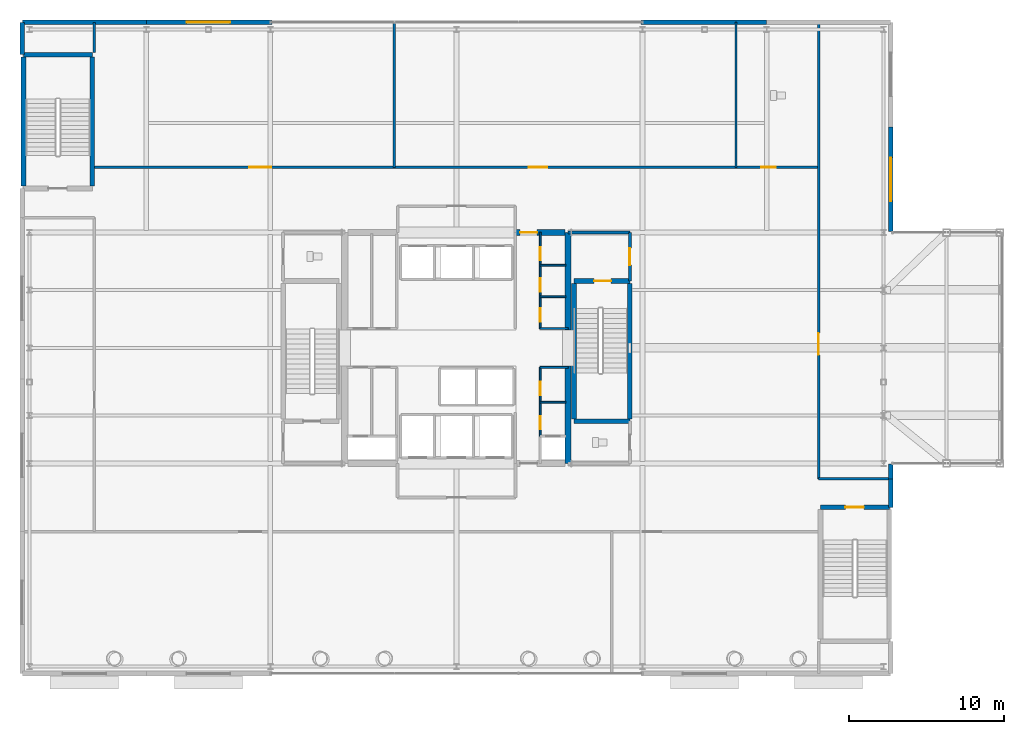
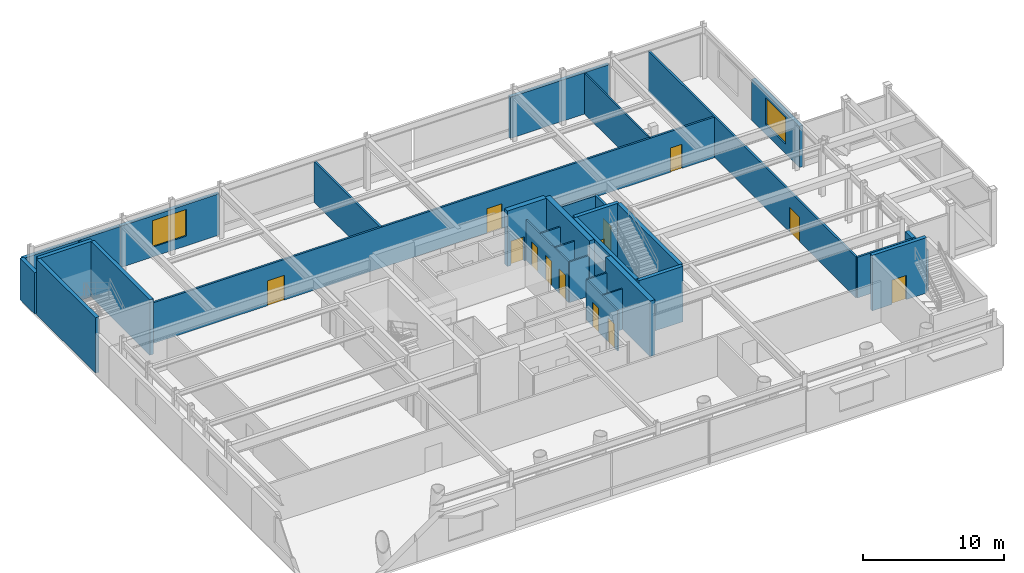
# One storey, part 21 of 26: 33 walls, 13 doors, 2 windows, 15 openings.
"""IFC4 building model written with IfcOpenShell, lengths in metres."""

from ifc_helpers import new_model, si_unit, direction, frame, frame_2d, origin, place, context, subcontext, project, spatial, rectangle, extrude, material, layer, layer_set, type_object, element, fill, save


model = new_model("IFC4")

# Units and contexts
model_context = context("Model", 3, precision=1e-05, world=origin(), true_north=direction((0.0, 1.0)))
body_context = subcontext(model_context, "Body", "Model", "MODEL_VIEW")
ifc_project = project(units=[si_unit("LENGTHUNIT", "METRE"), si_unit("AREAUNIT", "SQUARE_METRE"), si_unit("VOLUMEUNIT", "CUBIC_METRE"), si_unit("PLANEANGLEUNIT", "RADIAN"), si_unit("MASSUNIT", "GRAM", prefix="KILO")], contexts=[model_context])

# Site, building, storey
site_placement = place(None, origin())
site = spatial("IfcSite", under=ifc_project, at=site_placement, CompositionType="ELEMENT")
building_placement = place(site_placement, origin())
building = spatial("IfcBuilding", under=site, at=building_placement, Name="Veldorina Hangang Commons", CompositionType="ELEMENT")
storey_placement = place(building_placement, frame((0.0, 0.0, 10.0)))
storey = spatial("IfcBuildingStorey", under=building, at=storey_placement, Name="L02", CompositionType="ELEMENT", Elevation=10.0)

# Walls
ifc_material_1 = material(Name="Concrete C70/85", Category="concrete")
ifc_layer_1 = layer(ifc_material_1, 0.39990234375)
ifc_layer_set_1 = layer_set([ifc_layer_1], Name="Concrete C70/85")
wall_type_1 = type_object("IfcWallType", Name="CW-RC400-C70", PredefinedType="SHEAR", material=ifc_layer_set_1)
for number, where, z_axis, x_axis, name in (
    (1, (39.199951171875, 16.550048828125, 0.0), (0.0, 0.0, 1.0), (0.0, 1.0, 0.0), "L02 E south core shear wall"),
    (2, (39.199951171875, 25.14990234375, 0.0), (0.0, 0.0, 1.0), (0.0, 1.0, 0.0), "L02 E north core shear wall"),
):
    element("IfcWall", number, at=place(storey_placement, frame(where, z_axis=z_axis, x_axis=x_axis)), inside=storey, type_object=wall_type_1, Name=name, PredefinedType="SHEAR", context=body_context, shape_type="SweptSolid", body=[
        extrude(rectangle(XDim=6.300048828125, YDim=0.39990234375, at=frame_2d((3.14990234375, 0.0))), origin(), (0.0, 0.0, 1.0), 4.800048828125),
    ])

# Wall, opening, door
wall_1_placement = place(storey_placement, frame((35.800048828125, 31.449951171875, 0.0), z_axis=(0.0, 0.0, 1.0), x_axis=(1.0, 0.0, 0.0)))
wall_1 = element("IfcWall", 3, at=wall_1_placement, inside=storey, type_object=wall_type_1, Name="L02 north-east core shear wall", PredefinedType="SHEAR", context=body_context, shape_type="SweptSolid", body=[
    extrude(rectangle(XDim=3.199951171875, YDim=0.39990234375, at=frame_2d((1.60009765625, 0.0))), origin(), (0.0, 0.0, 1.0), 4.800048828125),
])
opening_1_placement = place(wall_1_placement, frame((0.300048828125, 0.0, 0.0)))
opening_1 = element("IfcOpeningElement", 4, at=opening_1_placement, cuts=wall_1, Name="Opening D-08", PredefinedType="OPENING", context=body_context, shape_type="SweptSolid", body=[
    extrude(rectangle(XDim=1.10009765625, YDim=2.10009765625, at=frame_2d((0.550048828125, 1.050048828125))), frame((0.0, 0.2099609375, 0.0), z_axis=(0.0, -1.0, 0.0), x_axis=(1.0, 0.0, 0.0)), (0.0, 0.0, 1.0), 0.419921875),
])
ifc_material_2 = material(Name="Steel Fire-Rated Smoke Seal", Category="steel")
door_type_1 = type_object("IfcDoorType", Name="DR-FIRE-1100", OperationType="SINGLE_SWING_RIGHT", PredefinedType="DOOR", material=ifc_material_2)
door_1_placement = place(opening_1_placement, origin())
door_1 = element("IfcDoor", 5, at=door_1_placement, inside=storey, type_object=door_type_1, Name="L02 central lift lobby north corridor door", OperationType="SINGLE_SWING_LEFT", OverallHeight=2.10009765625, OverallWidth=1.10009765625, PredefinedType="DOOR", context=body_context, shape_type="SweptSolid", body=[
    extrude(rectangle(XDim=1.10009765625, YDim=2.10009765625, at=frame_2d((0.550048828125, 1.050048828125))), frame((0.0, 0.02490234375, 0.0), z_axis=(0.0, -1.0, 0.0), x_axis=(1.0, 0.0, 0.0)), (0.0, 0.0, 1.0), 0.050048828125),
])
fill(opening_1, door_1)

# Wall
ifc_material_3 = material(Name="Stone Roman Travertine", Category="masonry")
ifc_layer_2 = layer(ifc_material_3, 0.300048828125)
ifc_layer_set_2 = layer_set([ifc_layer_2], Name="Stone Roman Travertine")
wall_type_2 = type_object("IfcWallType", Name="EW-TRAV-300", PredefinedType="STANDARD", material=ifc_layer_set_2)
wall_2_placement = place(storey_placement, frame((12.0, 45.0, 0.0), z_axis=(0.0, 0.0, 1.0), x_axis=(-1.0, 0.0, 0.0)))
element("IfcWall", 6, at=wall_2_placement, inside=storey, type_object=wall_type_2, Name="L02 north podium stone wall N1", PredefinedType="STANDARD", context=body_context, shape_type="SweptSolid", body=[
    extrude(rectangle(XDim=8.0, YDim=0.300048828125, at=frame_2d((4.0, 0.0))), origin(), (0.0, 0.0, 1.0), 3.570068359375),
])

# Wall, opening, window
wall_3_placement = place(storey_placement, frame((20.094970703125, 45.0, 0.0), z_axis=(0.0, 0.0, 1.0), x_axis=(-1.0, 0.0, 0.0)))
wall_3 = element("IfcWall", 7, at=wall_3_placement, inside=storey, type_object=wall_type_2, Name="L02 north podium stone wall N2", PredefinedType="STANDARD", context=body_context, shape_type="SweptSolid", body=[
    extrude(rectangle(XDim=8.094970703125, YDim=0.300048828125, at=frame_2d((4.04736328125, 0.0))), origin(), (0.0, 0.0, 1.0), 3.570068359375),
])
opening_2_placement = place(wall_3_placement, frame((2.695068359375, 0.0, 0.85009765625)))
opening_2 = element("IfcOpeningElement", 8, at=opening_2_placement, cuts=wall_3, Name="Opening W-06", PredefinedType="OPENING", context=body_context, shape_type="SweptSolid", body=[
    extrude(rectangle(XDim=2.800048828125, YDim=2.300048828125, at=frame_2d((1.39990234375, 1.14990234375))), frame((0.0, 0.16015625, 0.0), z_axis=(0.0, -1.0, 0.0), x_axis=(1.0, 0.0, 0.0)), (0.0, 0.0, 1.0), 0.320068359375),
])
ifc_material_4 = material(Name="Glass Acoustic Laminated", Category="glass")
window_type = type_object("IfcWindowType", Name="WIN-POD-2800", PartitioningType="SINGLE_PANEL", PredefinedType="WINDOW", material=ifc_material_4)
window_1_placement = place(opening_2_placement, origin())
window_1 = element("IfcWindow", 9, at=window_1_placement, inside=storey, type_object=window_type, Name="L02 north podium window N2", OverallHeight=2.300048828125, OverallWidth=2.800048828125, PartitioningType="SINGLE_PANEL", PredefinedType="WINDOW", context=body_context, shape_type="SweptSolid", body=[
    extrude(rectangle(XDim=2.800048828125, YDim=2.300048828125, at=frame_2d((1.39990234375, 1.14990234375))), frame((0.0, 0.030029296875, 0.0), z_axis=(0.0, -1.0, 0.0), x_axis=(1.0, 0.0, 0.0)), (0.0, 0.0, 1.0), 0.06005859375),
])
fill(opening_2, window_1)

# Walls
wall_4_placement = place(storey_placement, frame((52.0, 45.0, 0.0), z_axis=(0.0, 0.0, 1.0), x_axis=(-1.0, 0.0, 0.0)))
element("IfcWall", 10, at=wall_4_placement, inside=storey, type_object=wall_type_2, Name="L02 north podium stone wall N6", PredefinedType="STANDARD", context=body_context, shape_type="SweptSolid", body=[
    extrude(rectangle(XDim=8.094970703125, YDim=0.300048828125, at=frame_2d((4.04736328125, 0.0))), origin(), (0.0, 0.0, 1.0), 3.570068359375),
])
wall_5_placement = place(storey_placement, frame((4.0, 45.0, 0.0), z_axis=(0.0, 0.0, 1.0), x_axis=(0.0, -1.0, 0.0)))
element("IfcWall", 11, at=wall_5_placement, inside=storey, type_object=wall_type_2, Name="L02 west podium stone wall W6", PredefinedType="STANDARD", context=body_context, shape_type="SweptSolid", body=[
    extrude(rectangle(XDim=2.080078125, YDim=0.300048828125, at=frame_2d((1.0400390625, 0.0))), origin(), (0.0, 0.0, 1.0), 3.570068359375),
])
wall_6_placement = place(storey_placement, frame((60.0, 13.719970703125, 0.0), z_axis=(0.0, 0.0, 1.0), x_axis=(0.0, 1.0, 0.0)))
element("IfcWall", 12, at=wall_6_placement, inside=storey, type_object=wall_type_2, Name="L02 east podium stone wall ES2", PredefinedType="STANDARD", context=body_context, shape_type="SweptSolid", body=[
    extrude(rectangle(XDim=1.830078125, YDim=0.300048828125, at=frame_2d((0.9150390625, 0.0))), origin(), (0.0, 0.0, 1.0), 3.570068359375),
])
wall_7_placement = place(storey_placement, frame((60.0, 15.550048828125, 0.0), z_axis=(0.0, 0.0, 1.0), x_axis=(0.0, 1.0, 0.0)))
element("IfcWall", 13, at=wall_7_placement, inside=storey, type_object=wall_type_2, Name="L02 east podium stone wall ES3", PredefinedType="STANDARD", context=body_context, shape_type="SweptSolid", body=[
    extrude(rectangle(XDim=0.949951171875, YDim=0.300048828125, at=frame_2d((0.47509765625, 0.0))), origin(), (0.0, 0.0, 1.0), 3.570068359375),
])

# Wall, opening, window
wall_8_placement = place(storey_placement, frame((60.0, 31.5, 0.0), z_axis=(0.0, 0.0, 1.0), x_axis=(0.0, 1.0, 0.0)))
wall_8 = element("IfcWall", 14, at=wall_8_placement, inside=storey, type_object=wall_type_2, Name="L02 east podium stone wall EN1", PredefinedType="STANDARD", context=body_context, shape_type="SweptSolid", body=[
    extrude(rectangle(XDim=6.75, YDim=0.300048828125, at=frame_2d((3.375, 0.0))), origin(), (0.0, 0.0, 1.0), 3.570068359375),
])
opening_3_placement = place(wall_8_placement, frame((1.97509765625, 0.0, 0.85009765625)))
opening_3 = element("IfcOpeningElement", 15, at=opening_3_placement, cuts=wall_8, Name="Opening W-06", PredefinedType="OPENING", context=body_context, shape_type="SweptSolid", body=[
    extrude(rectangle(XDim=2.800048828125, YDim=2.300048828125, at=frame_2d((1.39990234375, 1.14990234375))), frame((0.0, 0.16015625, 0.0), z_axis=(0.0, -1.0, 0.0), x_axis=(1.0, 0.0, 0.0)), (0.0, 0.0, 1.0), 0.320068359375),
])
window_2_placement = place(opening_3_placement, origin())
window_2 = element("IfcWindow", 16, at=window_2_placement, inside=storey, type_object=window_type, Name="L02 east podium window EN1", OverallHeight=2.300048828125, OverallWidth=2.800048828125, PartitioningType="SINGLE_PANEL", PredefinedType="WINDOW", context=body_context, shape_type="SweptSolid", body=[
    extrude(rectangle(XDim=2.800048828125, YDim=2.300048828125, at=frame_2d((1.39990234375, 1.14990234375))), frame((0.0, 0.030029296875, 0.0), z_axis=(0.0, -1.0, 0.0), x_axis=(1.0, 0.0, 0.0)), (0.0, 0.0, 1.0), 0.06005859375),
])
fill(opening_3, window_2)

# Walls
ifc_material_5 = material(Name="Concrete C50/60", Category="concrete")
ifc_layer_3 = layer(ifc_material_5, 0.300048828125)
ifc_layer_set_3 = layer_set([ifc_layer_3], Name="Concrete C50/60")
wall_type_3 = type_object("IfcWallType", Name="SW-STAIR-300", PredefinedType="SHEAR", material=ifc_layer_set_3)
for number, where, z_axis, x_axis, name in (
    (17, (43.179931640625, 19.429931640625, 0.0), (0.0, 0.0, 1.0), (0.0, 1.0, 0.0), "L02 ST2 outer stair shear wall"),
    (18, (39.580078125, 19.429931640625, 0.0), (0.0, 0.0, 1.0), (0.0, 1.0, 0.0), "L02 ST2 inner stair shear wall"),
):
    element("IfcWall", number, at=place(storey_placement, frame(where, z_axis=z_axis, x_axis=x_axis)), inside=storey, type_object=wall_type_3, Name=name, PredefinedType="SHEAR", context=body_context, shape_type="SweptSolid", body=[
        extrude(rectangle(XDim=8.739990234375, YDim=0.300048828125, at=frame_2d((4.3701171875, 0.0))), origin(), (0.0, 0.0, 1.0), 4.800048828125),
    ])
wall_9_placement = place(storey_placement, frame((39.580078125, 19.280029296875, 0.0), z_axis=(0.0, 0.0, 1.0), x_axis=(1.0, 0.0, 0.0)))
element("IfcWall", 19, at=wall_9_placement, inside=storey, type_object=wall_type_3, Name="L02 ST2 south stair shear wall", PredefinedType="SHEAR", context=body_context, shape_type="SweptSolid", body=[
    extrude(rectangle(XDim=3.599853515625, YDim=0.300048828125, at=frame_2d((1.7998046875, 0.0))), origin(), (0.0, 0.0, 1.0), 4.800048828125),
])

# Wall, opening, door
wall_10_placement = place(storey_placement, frame((39.580078125, 28.320068359375, 0.0), z_axis=(0.0, 0.0, 1.0), x_axis=(1.0, 0.0, 0.0)))
wall_10 = element("IfcWall", 20, at=wall_10_placement, inside=storey, type_object=wall_type_3, Name="L02 ST2 north stair shear wall", PredefinedType="SHEAR", context=body_context, shape_type="SweptSolid", body=[
    extrude(rectangle(XDim=3.599853515625, YDim=0.300048828125, at=frame_2d((1.7998046875, 0.0))), origin(), (0.0, 0.0, 1.0), 4.800048828125),
])
opening_4_placement = place(wall_10_placement, frame((1.300048828125, 0.0, 0.0)))
opening_4 = element("IfcOpeningElement", 21, at=opening_4_placement, cuts=wall_10, Name="Opening D-08", PredefinedType="OPENING", context=body_context, shape_type="SweptSolid", body=[
    extrude(rectangle(XDim=1.10009765625, YDim=2.10009765625, at=frame_2d((0.550048828125, 1.050048828125))), frame((0.0, 0.16015625, 0.0), z_axis=(0.0, -1.0, 0.0), x_axis=(1.0, 0.0, 0.0)), (0.0, 0.0, 1.0), 0.320068359375),
])
door_2_placement = place(opening_4_placement, origin())
door_2 = element("IfcDoor", 22, at=door_2_placement, inside=storey, type_object=door_type_1, Name="L02 Special Escape Stair ST-2 door", OperationType="SINGLE_SWING_RIGHT", OverallHeight=2.10009765625, OverallWidth=1.10009765625, PredefinedType="DOOR", context=body_context, shape_type="SweptSolid", body=[
    extrude(rectangle(XDim=1.10009765625, YDim=2.10009765625, at=frame_2d((0.550048828125, 1.050048828125))), frame((0.0, 0.02490234375, 0.0), z_axis=(0.0, -1.0, 0.0), x_axis=(1.0, 0.0, 0.0)), (0.0, 0.0, 1.0), 0.050048828125),
])
fill(opening_4, door_2)

# Walls
for number, where, z_axis, x_axis, name in (
    (23, (4.080078125, 34.429931640625, 0.0), (0.0, 0.0, 1.0), (0.0, 1.0, 0.0), "L02 STP1 W stair shear wall"),
    (24, (8.52001953125, 34.429931640625, 0.0), (0.0, 0.0, 1.0), (0.0, 1.0, 0.0), "L02 STP1 E stair shear wall"),
):
    element("IfcWall", number, at=place(storey_placement, frame(where, z_axis=z_axis, x_axis=x_axis)), inside=storey, type_object=wall_type_3, Name=name, PredefinedType="SHEAR", context=body_context, shape_type="SweptSolid", body=[
        extrude(rectangle(XDim=8.340087890625, YDim=0.300048828125, at=frame_2d((4.169921875, 0.0))), origin(), (0.0, 0.0, 1.0), 4.800048828125),
    ])
wall_11_placement = place(storey_placement, frame((4.080078125, 42.919921875, 0.0), z_axis=(0.0, 0.0, 1.0), x_axis=(1.0, 0.0, 0.0)))
element("IfcWall", 25, at=wall_11_placement, inside=storey, type_object=wall_type_3, Name="L02 STP1 N stair shear wall", PredefinedType="SHEAR", context=body_context, shape_type="SweptSolid", body=[
    extrude(rectangle(XDim=4.43994140625, YDim=0.300048828125, at=frame_2d((2.219970703125, 0.0))), origin(), (0.0, 0.0, 1.0), 4.800048828125),
])

# Wall, opening, door
wall_12_placement = place(storey_placement, frame((55.47998046875, 13.719970703125, 0.0), z_axis=(0.0, 0.0, 1.0), x_axis=(1.0, 0.0, 0.0)))
wall_12 = element("IfcWall", 26, at=wall_12_placement, inside=storey, type_object=wall_type_3, Name="L02 STP2 N stair shear wall", PredefinedType="SHEAR", context=body_context, shape_type="SweptSolid", body=[
    extrude(rectangle(XDim=4.43994140625, YDim=0.300048828125, at=frame_2d((2.219970703125, 0.0))), origin(), (0.0, 0.0, 1.0), 4.800048828125),
])
opening_5_placement = place(wall_12_placement, frame((1.60009765625, 0.0, 0.0)))
opening_5 = element("IfcOpeningElement", 27, at=opening_5_placement, cuts=wall_12, Name="Opening D-09", PredefinedType="OPENING", context=body_context, shape_type="SweptSolid", body=[
    extrude(rectangle(XDim=1.199951171875, YDim=2.10009765625, at=frame_2d((0.60009765625, 1.050048828125))), frame((0.0, 0.16015625, 0.0), z_axis=(0.0, -1.0, 0.0), x_axis=(1.0, 0.0, 0.0)), (0.0, 0.0, 1.0), 0.320068359375),
])
ifc_material_6 = material(Name="Steel Fire-Rated Corridor Door", Category="steel")
door_type_2 = type_object("IfcDoorType", Name="DR-FIRE-1200", OperationType="SINGLE_SWING_LEFT", PredefinedType="DOOR", material=ifc_material_6)
door_3_placement = place(opening_5_placement, origin())
door_3 = element("IfcDoor", 28, at=door_3_placement, inside=storey, type_object=door_type_2, Name="L02 Podium Stair ST-P2 door", OperationType="SINGLE_SWING_RIGHT", OverallHeight=2.10009765625, OverallWidth=1.199951171875, PredefinedType="DOOR", context=body_context, shape_type="SweptSolid", body=[
    extrude(rectangle(XDim=1.199951171875, YDim=2.10009765625, at=frame_2d((0.60009765625, 1.050048828125))), frame((0.0, 0.02490234375, 0.0), z_axis=(0.0, -1.0, 0.0), x_axis=(1.0, 0.0, 0.0)), (0.0, 0.0, 1.0), 0.050048828125),
])
fill(opening_5, door_3)

# Wall, openings, doors
ifc_material_7 = material(Name="Gypsum Fire-Rated Twin Stud Wall", Category="gypsum")
ifc_layer_4 = layer(ifc_material_7, 0.159912109375)
ifc_layer_set_4 = layer_set([ifc_layer_4], Name="Gypsum Fire-Rated Twin Stud Wall")
wall_type_4 = type_object("IfcWallType", Name="WL-FIRE-160", PredefinedType="SOLIDWALL", material=ifc_layer_set_4)
wall_13_placement = place(storey_placement, frame((8.64990234375, 35.64990234375, 0.0), z_axis=(0.0, 0.0, 1.0), x_axis=(1.0, 0.0, 0.0)))
wall_13 = element("IfcWall", 29, at=wall_13_placement, inside=storey, type_object=wall_type_4, Name="L02 L02 gallery north wall 050", PredefinedType="SOLIDWALL", context=body_context, shape_type="SweptSolid", body=[
    extrude(rectangle(XDim=46.7001953125, YDim=0.159912109375, at=frame_2d((23.35009765625, 0.0))), origin(), (0.0, 0.0, 1.0), 3.52001953125),
])
opening_6_placement = place(wall_13_placement, frame((10.0, 0.0, 0.0)))
opening_6 = element("IfcOpeningElement", 30, at=opening_6_placement, cuts=wall_13, Name="Opening D-11", PredefinedType="OPENING", context=body_context, shape_type="SweptSolid", body=[
    extrude(rectangle(XDim=1.39990234375, YDim=2.14990234375, at=frame_2d((0.699951171875, 1.074951171875))), frame((0.0, 0.08984375, 0.0), z_axis=(0.0, -1.0, 0.0), x_axis=(1.0, 0.0, 0.0)), (0.0, 0.0, 1.0), 0.179931640625),
])
opening_7_placement = place(wall_13_placement, frame((28.0, 0.0, 0.0)))
opening_7 = element("IfcOpeningElement", 31, at=opening_7_placement, cuts=wall_13, Name="Opening D-09", PredefinedType="OPENING", context=body_context, shape_type="SweptSolid", body=[
    extrude(rectangle(XDim=1.199951171875, YDim=2.10009765625, at=frame_2d((0.60009765625, 1.050048828125))), frame((0.0, 0.08984375, 0.0), z_axis=(0.0, -1.0, 0.0), x_axis=(1.0, 0.0, 0.0)), (0.0, 0.0, 1.0), 0.179931640625),
])
opening_8_placement = place(wall_13_placement, frame((43.0, 0.0, 0.0)))
opening_8 = element("IfcOpeningElement", 32, at=opening_8_placement, cuts=wall_13, Name="Opening D-02", PredefinedType="OPENING", context=body_context, shape_type="SweptSolid", body=[
    extrude(rectangle(XDim=0.949951171875, YDim=2.10009765625, at=frame_2d((0.47509765625, 1.050048828125))), frame((0.0, 0.08984375, 0.0), z_axis=(0.0, -1.0, 0.0), x_axis=(1.0, 0.0, 0.0)), (0.0, 0.0, 1.0), 0.179931640625),
])
door_4_placement = place(opening_7_placement, origin())
door_4 = element("IfcDoor", 33, at=door_4_placement, inside=storey, type_object=door_type_2, Name="L02 Seminar studio door 028", OperationType="SINGLE_SWING_RIGHT", OverallHeight=2.10009765625, OverallWidth=1.199951171875, PredefinedType="DOOR", context=body_context, shape_type="SweptSolid", body=[
    extrude(rectangle(XDim=1.199951171875, YDim=2.10009765625, at=frame_2d((0.60009765625, 1.050048828125))), frame((0.0, 0.02490234375, 0.0), z_axis=(0.0, -1.0, 0.0), x_axis=(1.0, 0.0, 0.0)), (0.0, 0.0, 1.0), 0.050048828125),
])
fill(opening_7, door_4)
ifc_material_8 = material(Name="Steel Glazed Fire Assembly Door", Category="steel")
door_type_3 = type_object("IfcDoorType", Name="DR-FIRE-1400", OperationType="DOUBLE_SWING_LEFT", PredefinedType="DOOR", material=ifc_material_8)
door_5_placement = place(opening_6_placement, origin())
door_5 = element("IfcDoor", 34, at=door_5_placement, inside=storey, type_object=door_type_3, Name="L02 Assembly hall door 027", OperationType="SINGLE_SWING_LEFT", OverallHeight=2.14990234375, OverallWidth=1.39990234375, PredefinedType="DOOR", context=body_context, shape_type="SweptSolid", body=[
    extrude(rectangle(XDim=1.39990234375, YDim=2.14990234375, at=frame_2d((0.699951171875, 1.074951171875))), frame((0.0, 0.02490234375, 0.0), z_axis=(0.0, -1.0, 0.0), x_axis=(1.0, 0.0, 0.0)), (0.0, 0.0, 1.0), 0.050048828125),
])
fill(opening_6, door_5)
ifc_material_9 = material(Name="Timber Solid Core Acoustic", Category="wood")
door_type_4 = type_object("IfcDoorType", Name="DR-INT-950", OperationType="SINGLE_SWING_LEFT", PredefinedType="DOOR", material=ifc_material_9)
door_6_placement = place(opening_8_placement, origin())
door_6 = element("IfcDoor", 35, at=door_6_placement, inside=storey, type_object=door_type_4, Name="L02 Public restroom door 029", OperationType="SINGLE_SWING_LEFT", OverallHeight=2.10009765625, OverallWidth=0.949951171875, PredefinedType="DOOR", context=body_context, shape_type="SweptSolid", body=[
    extrude(rectangle(XDim=0.949951171875, YDim=2.10009765625, at=frame_2d((0.47509765625, 1.050048828125))), frame((0.0, 0.02490234375, 0.0), z_axis=(0.0, -1.0, 0.0), x_axis=(1.0, 0.0, 0.0)), (0.0, 0.0, 1.0), 0.050048828125),
])
fill(opening_8, door_6)

# Wall, opening, door
wall_14_placement = place(storey_placement, frame((55.35009765625, 15.550048828125, 0.0), z_axis=(0.0, 0.0, 1.0), x_axis=(0.0, 1.0, 0.0)))
wall_14 = element("IfcWall", 36, at=wall_14_placement, inside=storey, type_object=wall_type_4, Name="L02 L02 gallery east wall 054", PredefinedType="SOLIDWALL", context=body_context, shape_type="SweptSolid", body=[
    extrude(rectangle(XDim=29.449951171875, YDim=0.159912109375, at=frame_2d((14.72509765625, 0.0))), origin(), (0.0, 0.0, 1.0), 3.52001953125),
])
opening_9_placement = place(wall_14_placement, frame((8.0, 0.0, 0.0)))
opening_9 = element("IfcOpeningElement", 37, at=opening_9_placement, cuts=wall_14, Name="Opening D-11", PredefinedType="OPENING", context=body_context, shape_type="SweptSolid", body=[
    extrude(rectangle(XDim=1.39990234375, YDim=2.14990234375, at=frame_2d((0.699951171875, 1.074951171875))), frame((0.0, 0.08984375, 0.0), z_axis=(0.0, -1.0, 0.0), x_axis=(1.0, 0.0, 0.0)), (0.0, 0.0, 1.0), 0.179931640625),
])
door_7_placement = place(opening_9_placement, origin())
door_7 = element("IfcDoor", 38, at=door_7_placement, inside=storey, type_object=door_type_3, Name="L02 Cantilever lounge double door 024", OperationType="SINGLE_SWING_RIGHT", OverallHeight=2.14990234375, OverallWidth=1.39990234375, PredefinedType="DOOR", context=body_context, shape_type="SweptSolid", body=[
    extrude(rectangle(XDim=1.39990234375, YDim=2.14990234375, at=frame_2d((0.699951171875, 1.074951171875))), frame((0.0, 0.02490234375, 0.0), z_axis=(0.0, -1.0, 0.0), x_axis=(1.0, 0.0, 0.0)), (0.0, 0.0, 1.0), 0.050048828125),
])
fill(opening_9, door_7)

# Walls
wall_15_placement = place(storey_placement, frame((55.35009765625, 15.550048828125, 0.0), z_axis=(0.0, 0.0, 1.0), x_axis=(1.0, 0.0, 0.0)))
element("IfcWall", 39, at=wall_15_placement, inside=storey, type_object=wall_type_4, Name="L02 L02 east room south wall 055", PredefinedType="SOLIDWALL", context=body_context, shape_type="SweptSolid", body=[
    extrude(rectangle(XDim=4.64990234375, YDim=0.159912109375, at=frame_2d((2.324951171875, 0.0))), origin(), (0.0, 0.0, 1.0), 3.52001953125),
])
wall_16_placement = place(storey_placement, frame((8.64990234375, 43.070068359375, 0.0), z_axis=(0.0, 0.0, 1.0), x_axis=(0.0, 1.0, 0.0)))
element("IfcWall", 40, at=wall_16_placement, inside=storey, type_object=wall_type_4, Name="L02 L02 NW stair vestibule wall 056", PredefinedType="SOLIDWALL", context=body_context, shape_type="SweptSolid", body=[
    extrude(rectangle(XDim=1.929931640625, YDim=0.159912109375, at=frame_2d((0.96484375, 0.0))), origin(), (0.0, 0.0, 1.0), 3.52001953125),
])
wall_17_placement = place(storey_placement, frame((28.0, 35.64990234375, 0.0), z_axis=(0.0, 0.0, 1.0), x_axis=(0.0, 1.0, 0.0)))
element("IfcWall", 41, at=wall_17_placement, inside=storey, type_object=wall_type_4, Name="L02 Assembly-seminar wall 059", PredefinedType="SOLIDWALL", context=body_context, shape_type="SweptSolid", body=[
    extrude(rectangle(XDim=9.35009765625, YDim=0.159912109375, at=frame_2d((4.675048828125, 0.0))), origin(), (0.0, 0.0, 1.0), 3.52001953125),
])

# Wall, opening, door
ifc_material_10 = material(Name="Concrete Blockwork Fire Wall C30/37", Category="masonry")
ifc_layer_5 = layer(ifc_material_10, 0.199951171875)
ifc_layer_set_5 = layer_set([ifc_layer_5], Name="Concrete Blockwork Fire Wall C30/37")
wall_type_5 = type_object("IfcWallType", Name="WL-FIRE-200", PredefinedType="SOLIDWALL", material=ifc_layer_set_5)
wall_18_placement = place(storey_placement, frame((43.179931640625, 28.320068359375, 0.0), z_axis=(0.0, 0.0, 1.0), x_axis=(0.0, 1.0, 0.0)))
wall_18 = element("IfcWall", 42, at=wall_18_placement, inside=storey, type_object=wall_type_5, Name="L02 East vestibule outer wall 003", PredefinedType="SOLIDWALL", context=body_context, shape_type="SweptSolid", body=[
    extrude(rectangle(XDim=3.1298828125, YDim=0.199951171875, at=frame_2d((1.56494140625, 0.0))), origin(), (0.0, 0.0, 1.0), 3.52001953125),
])
opening_10_placement = place(wall_18_placement, frame((1.014892578125, 0.0, 0.0)))
opening_10 = element("IfcOpeningElement", 43, at=opening_10_placement, cuts=wall_18, Name="Opening D-08", PredefinedType="OPENING", context=body_context, shape_type="SweptSolid", body=[
    extrude(rectangle(XDim=1.10009765625, YDim=2.10009765625, at=frame_2d((0.550048828125, 1.050048828125))), frame((0.0, 0.10986328125, 0.0), z_axis=(0.0, -1.0, 0.0), x_axis=(1.0, 0.0, 0.0)), (0.0, 0.0, 1.0), 0.219970703125),
])
door_8_placement = place(opening_10_placement, origin())
door_8 = element("IfcDoor", 44, at=door_8_placement, inside=storey, type_object=door_type_1, Name="L02 East vestibule east door 002", OperationType="SINGLE_SWING_RIGHT", OverallHeight=2.10009765625, OverallWidth=1.10009765625, PredefinedType="DOOR", context=body_context, shape_type="SweptSolid", body=[
    extrude(rectangle(XDim=1.10009765625, YDim=2.10009765625, at=frame_2d((0.550048828125, 1.050048828125))), frame((0.0, 0.02490234375, 0.0), z_axis=(0.0, -1.0, 0.0), x_axis=(1.0, 0.0, 0.0)), (0.0, 0.0, 1.0), 0.050048828125),
])
fill(opening_10, door_8)

# Wall
wall_19_placement = place(storey_placement, frame((39.199951171875, 31.449951171875, 0.0), z_axis=(0.0, 0.0, 1.0), x_axis=(1.0, 0.0, 0.0)))
element("IfcWall", 45, at=wall_19_placement, inside=storey, type_object=wall_type_5, Name="L02 East vestibule north wall 004", PredefinedType="SOLIDWALL", context=body_context, shape_type="SweptSolid", body=[
    extrude(rectangle(XDim=3.97998046875, YDim=0.199951171875, at=frame_2d((1.989990234375, 0.0))), origin(), (0.0, 0.0, 1.0), 3.52001953125),
])

# Wall, openings, doors
ifc_material_11 = material(Name="Gypsum Acoustic Stud Partition", Category="gypsum")
ifc_layer_6 = layer(ifc_material_11, 0.1201171875)
ifc_layer_set_6 = layer_set([ifc_layer_6], Name="Gypsum Acoustic Stud Partition")
wall_type_6 = type_object("IfcWallType", Name="WL-PART-120", PredefinedType="PARTITIONING", material=ifc_layer_set_6)
wall_20_placement = place(storey_placement, frame((37.39990234375, 25.25, 0.0), z_axis=(0.0, 0.0, 1.0), x_axis=(0.0, 1.0, 0.0)))
wall_20 = element("IfcWall", 46, at=wall_20_placement, inside=storey, type_object=wall_type_6, Name="L02 NE strip lobby wall 041", PredefinedType="PARTITIONING", context=body_context, shape_type="SweptSolid", body=[
    extrude(rectangle(XDim=6.199951171875, YDim=0.1201171875, at=frame_2d((3.10009765625, 0.0))), origin(), (0.0, 0.0, 1.0), 3.52001953125),
])
opening_11_placement = place(wall_20_placement, frame((0.43994140625, 0.0, 0.0)))
opening_11 = element("IfcOpeningElement", 47, at=opening_11_placement, cuts=wall_20, Name="Opening D-01", PredefinedType="OPENING", context=body_context, shape_type="SweptSolid", body=[
    extrude(rectangle(XDim=0.860107421875, YDim=2.10009765625, at=frame_2d((0.43017578125, 1.050048828125))), frame((0.0, 0.070068359375, 0.0), z_axis=(0.0, -1.0, 0.0), x_axis=(1.0, 0.0, 0.0)), (0.0, 0.0, 1.0), 0.14013671875),
])
opening_12_placement = place(wall_20_placement, frame((2.3701171875, 0.0, 0.0)))
opening_12 = element("IfcOpeningElement", 48, at=opening_12_placement, cuts=wall_20, Name="Opening D-01", PredefinedType="OPENING", context=body_context, shape_type="SweptSolid", body=[
    extrude(rectangle(XDim=0.860107421875, YDim=2.10009765625, at=frame_2d((0.43017578125, 1.050048828125))), frame((0.0, 0.070068359375, 0.0), z_axis=(0.0, -1.0, 0.0), x_axis=(1.0, 0.0, 0.0)), (0.0, 0.0, 1.0), 0.14013671875),
])
opening_13_placement = place(wall_20_placement, frame((4.389892578125, 0.0, 0.0)))
opening_13 = element("IfcOpeningElement", 49, at=opening_13_placement, cuts=wall_20, Name="Opening D-01", PredefinedType="OPENING", context=body_context, shape_type="SweptSolid", body=[
    extrude(rectangle(XDim=0.860107421875, YDim=2.10009765625, at=frame_2d((0.43017578125, 1.050048828125))), frame((0.0, 0.070068359375, 0.0), z_axis=(0.0, -1.0, 0.0), x_axis=(1.0, 0.0, 0.0)), (0.0, 0.0, 1.0), 0.14013671875),
])
ifc_material_12 = material(Name="Timber Moisture-Resistant Core", Category="wood")
door_type_5 = type_object("IfcDoorType", Name="DR-WET-860", OperationType="SINGLE_SWING_LEFT", PredefinedType="DOOR", material=ifc_material_12)
door_9_placement = place(opening_11_placement, origin())
door_9 = element("IfcDoor", 50, at=door_9_placement, inside=storey, type_object=door_type_5, Name="L02 Fiber Riser Closet door 019", OperationType="SINGLE_SWING_LEFT", OverallHeight=2.10009765625, OverallWidth=0.860107421875, PredefinedType="DOOR", context=body_context, shape_type="SweptSolid", body=[
    extrude(rectangle(XDim=0.860107421875, YDim=2.10009765625, at=frame_2d((0.43017578125, 1.050048828125))), frame((0.0, 0.02490234375, 0.0), z_axis=(0.0, -1.0, 0.0), x_axis=(1.0, 0.0, 0.0)), (0.0, 0.0, 1.0), 0.050048828125),
])
fill(opening_11, door_9)
door_10_placement = place(opening_12_placement, origin())
door_10 = element("IfcDoor", 51, at=door_10_placement, inside=storey, type_object=door_type_5, Name="L02 AV Rack Closet door 020", OperationType="SINGLE_SWING_RIGHT", OverallHeight=2.10009765625, OverallWidth=0.860107421875, PredefinedType="DOOR", context=body_context, shape_type="SweptSolid", body=[
    extrude(rectangle(XDim=0.860107421875, YDim=2.10009765625, at=frame_2d((0.43017578125, 1.050048828125))), frame((0.0, 0.02490234375, 0.0), z_axis=(0.0, -1.0, 0.0), x_axis=(1.0, 0.0, 0.0)), (0.0, 0.0, 1.0), 0.050048828125),
])
fill(opening_12, door_10)
door_11_placement = place(opening_13_placement, origin())
door_11 = element("IfcDoor", 52, at=door_11_placement, inside=storey, type_object=door_type_5, Name="L02 Supply Closet door 021", OperationType="SINGLE_SWING_LEFT", OverallHeight=2.10009765625, OverallWidth=0.860107421875, PredefinedType="DOOR", context=body_context, shape_type="SweptSolid", body=[
    extrude(rectangle(XDim=0.860107421875, YDim=2.10009765625, at=frame_2d((0.43017578125, 1.050048828125))), frame((0.0, 0.02490234375, 0.0), z_axis=(0.0, -1.0, 0.0), x_axis=(1.0, 0.0, 0.0)), (0.0, 0.0, 1.0), 0.050048828125),
])
fill(opening_13, door_11)

# Wall
wall_21_placement = place(storey_placement, frame((37.39990234375, 25.25, 0.0), z_axis=(0.0, 0.0, 1.0), x_axis=(1.0, 0.0, 0.0)))
element("IfcWall", 53, at=wall_21_placement, inside=storey, type_object=wall_type_6, Name="L02 NE strip south return wall 042", PredefinedType="PARTITIONING", context=body_context, shape_type="SweptSolid", body=[
    extrude(rectangle(XDim=1.800048828125, YDim=0.1201171875, at=frame_2d((0.89990234375, 0.0))), origin(), (0.0, 0.0, 1.0), 3.52001953125),
])

# Wall, openings, doors
wall_22_placement = place(storey_placement, frame((37.39990234375, 18.300048828125, 0.0), z_axis=(0.0, 0.0, 1.0), x_axis=(0.0, 1.0, 0.0)))
wall_22 = element("IfcWall", 54, at=wall_22_placement, inside=storey, type_object=wall_type_6, Name="L02 SE strip lobby wall 043", PredefinedType="PARTITIONING", context=body_context, shape_type="SweptSolid", body=[
    extrude(rectangle(XDim=4.449951171875, YDim=0.1201171875, at=frame_2d((2.22509765625, 0.0))), origin(), (0.0, 0.0, 1.0), 3.52001953125),
])
opening_14_placement = place(wall_22_placement, frame((0.449951171875, 0.0, 0.0)))
opening_14 = element("IfcOpeningElement", 55, at=opening_14_placement, cuts=wall_22, Name="Opening D-01", PredefinedType="OPENING", context=body_context, shape_type="SweptSolid", body=[
    extrude(rectangle(XDim=0.860107421875, YDim=2.10009765625, at=frame_2d((0.43017578125, 1.050048828125))), frame((0.0, 0.070068359375, 0.0), z_axis=(0.0, -1.0, 0.0), x_axis=(1.0, 0.0, 0.0)), (0.0, 0.0, 1.0), 0.14013671875),
])
opening_15_placement = place(wall_22_placement, frame((2.64990234375, 0.0, 0.0)))
opening_15 = element("IfcOpeningElement", 56, at=opening_15_placement, cuts=wall_22, Name="Opening D-01", PredefinedType="OPENING", context=body_context, shape_type="SweptSolid", body=[
    extrude(rectangle(XDim=0.860107421875, YDim=2.10009765625, at=frame_2d((0.43017578125, 1.050048828125))), frame((0.0, 0.070068359375, 0.0), z_axis=(0.0, -1.0, 0.0), x_axis=(1.0, 0.0, 0.0)), (0.0, 0.0, 1.0), 0.14013671875),
])
door_12_placement = place(opening_14_placement, origin())
door_12 = element("IfcDoor", 57, at=door_12_placement, inside=storey, type_object=door_type_5, Name="L02 Janitor sink door 022", OperationType="SINGLE_SWING_RIGHT", OverallHeight=2.10009765625, OverallWidth=0.860107421875, PredefinedType="DOOR", context=body_context, shape_type="SweptSolid", body=[
    extrude(rectangle(XDim=0.860107421875, YDim=2.10009765625, at=frame_2d((0.43017578125, 1.050048828125))), frame((0.0, 0.02490234375, 0.0), z_axis=(0.0, -1.0, 0.0), x_axis=(1.0, 0.0, 0.0)), (0.0, 0.0, 1.0), 0.050048828125),
])
fill(opening_14, door_12)
door_13_placement = place(opening_15_placement, origin())
door_13 = element("IfcDoor", 58, at=door_13_placement, inside=storey, type_object=door_type_5, Name="L02 Fire panel door 023", OperationType="SINGLE_SWING_LEFT", OverallHeight=2.10009765625, OverallWidth=0.860107421875, PredefinedType="DOOR", context=body_context, shape_type="SweptSolid", body=[
    extrude(rectangle(XDim=0.860107421875, YDim=2.10009765625, at=frame_2d((0.43017578125, 1.050048828125))), frame((0.0, 0.02490234375, 0.0), z_axis=(0.0, -1.0, 0.0), x_axis=(1.0, 0.0, 0.0)), (0.0, 0.0, 1.0), 0.050048828125),
])
fill(opening_15, door_13)

# Walls
wall_23_placement = place(storey_placement, frame((37.39990234375, 22.75, 0.0), z_axis=(0.0, 0.0, 1.0), x_axis=(1.0, 0.0, 0.0)))
element("IfcWall", 59, at=wall_23_placement, inside=storey, type_object=wall_type_6, Name="L02 SE strip north return wall 044", PredefinedType="PARTITIONING", context=body_context, shape_type="SweptSolid", body=[
    extrude(rectangle(XDim=1.800048828125, YDim=0.1201171875, at=frame_2d((0.89990234375, 0.0))), origin(), (0.0, 0.0, 1.0), 3.52001953125),
])
for number, where, z_axis, x_axis, name in (
    (60, (37.39990234375, 27.300048828125, 0.0), (0.0, 0.0, 1.0), (1.0, 0.0, 0.0), "L02 NE split 1 047"),
    (61, (37.39990234375, 29.330078125, 0.0), (0.0, 0.0, 1.0), (1.0, 0.0, 0.0), "L02 NE split 2 048"),
    (62, (37.39990234375, 20.5, 0.0), (0.0, 0.0, 1.0), (1.0, 0.0, 0.0), "L02 SE horizontal split 049"),
):
    element("IfcWall", number, at=place(storey_placement, frame(where, z_axis=z_axis, x_axis=x_axis)), inside=storey, type_object=wall_type_6, Name=name, PredefinedType="PARTITIONING", context=body_context, shape_type="SweptSolid", body=[
        extrude(rectangle(XDim=1.650146484375, YDim=0.1201171875, at=frame_2d((0.8251953125, 0.0))), origin(), (0.0, 0.0, 1.0), 3.52001953125),
    ])
wall_24_placement = place(storey_placement, frame((50.030029296875, 35.64990234375, 0.0), z_axis=(0.0, 0.0, 1.0), x_axis=(0.0, 1.0, 0.0)))
element("IfcWall", 63, at=wall_24_placement, inside=storey, type_object=wall_type_6, Name="L02 Seminar-WC wall 060", PredefinedType="PARTITIONING", context=body_context, shape_type="SweptSolid", body=[
    extrude(rectangle(XDim=9.35009765625, YDim=0.1201171875, at=frame_2d((4.675048828125, 0.0))), origin(), (0.0, 0.0, 1.0), 3.52001953125),
])

save(model, "model.ifc")
